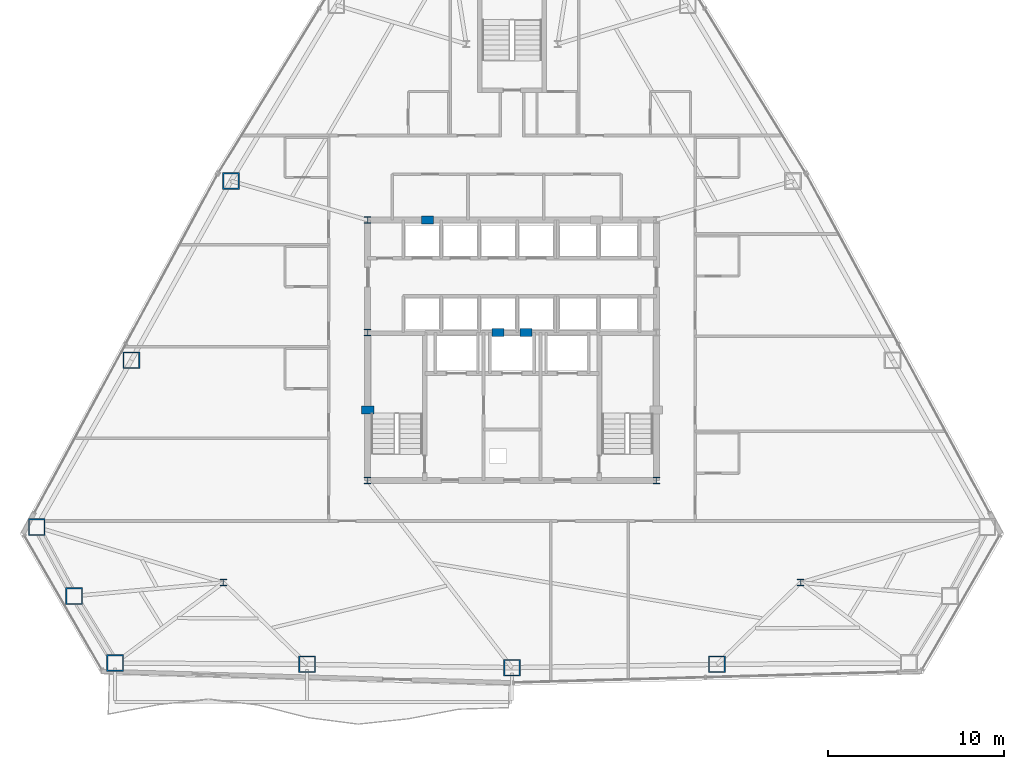
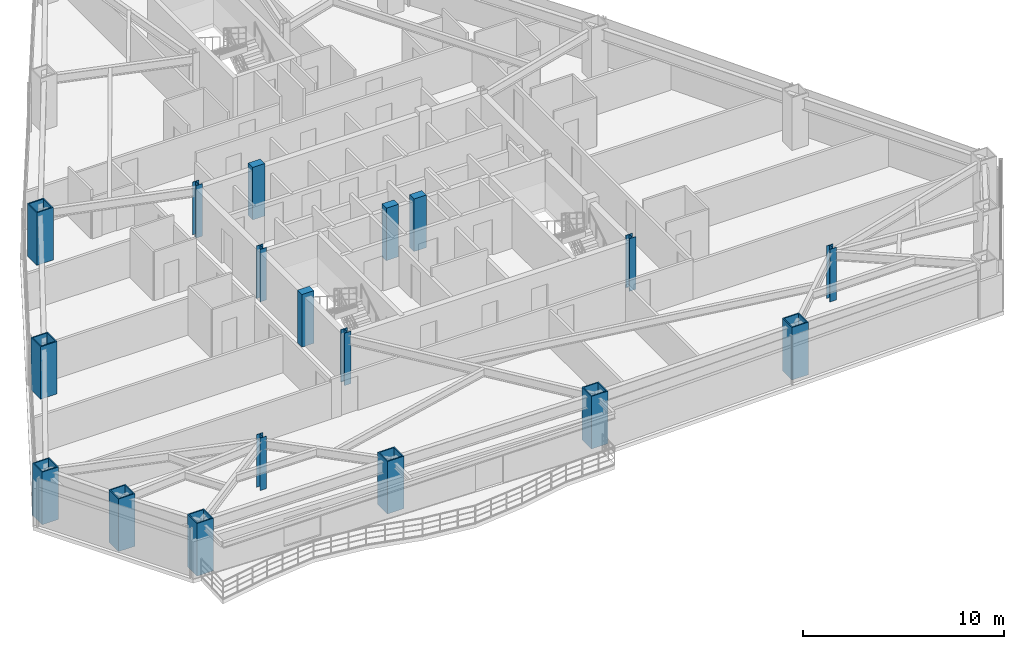
# One storey, part 1 of 13: 18 columns.
"""IFC4 building model written with IfcOpenShell, lengths in metres."""

from ifc_helpers import new_model, si_unit, direction, frame, origin, origin_2d, place, context, subcontext, project, spatial, rectangle, hollow_rectangle, i_section, extrude, material, material_profile, profile_set, type_object, element, save


model = new_model("IFC4")

# Units and contexts
model_context = context("Model", 3, precision=1e-05, world=origin(), true_north=direction((0.0, 1.0)))
body_context = subcontext(model_context, "Body", "Model", "MODEL_VIEW")
ifc_project = project(units=[si_unit("LENGTHUNIT", "METRE"), si_unit("AREAUNIT", "SQUARE_METRE"), si_unit("VOLUMEUNIT", "CUBIC_METRE"), si_unit("PLANEANGLEUNIT", "RADIAN"), si_unit("MASSUNIT", "GRAM", prefix="KILO")], contexts=[model_context])

# Site, building, storey
site_placement = place(None, origin())
site = spatial("IfcSite", under=ifc_project, at=site_placement, CompositionType="ELEMENT")
building_placement = place(site_placement, origin())
building = spatial("IfcBuilding", under=site, at=building_placement, Name="Varakhsha Concourse Tower", CompositionType="ELEMENT")
storey_placement = place(building_placement, frame((0.0, 0.0, 102.199951171875)))
storey = spatial("IfcBuildingStorey", under=building, at=storey_placement, Name="L29", CompositionType="ELEMENT", Elevation=102.199951171875)

# Columns
ifc_material_1 = material(Name="Structural Steel ASTM A992 Grade 50", Category="steel")
ifc_material_profile_1 = material_profile(ifc_material_1, i_section(OverallWidth=0.3740234375, OverallDepth=0.3720703125, WebThickness=0.01611328125, FlangeThickness=0.02587890625, at=origin_2d()), Name="W14X132")
ifc_profile_set_1 = profile_set([ifc_material_profile_1], Name="Structural Steel ASTM A992 Grade 50")
column_type_1 = type_object("IfcColumnType", Name="CL-CORE-W14X132", PredefinedType="COLUMN", material=ifc_profile_set_1)
for number, where, z_axis, x_axis, name in (
    (1, (31.800048828125, 16.39990234375, 0.0), (0.0, 0.0, 1.0), (1.0, 0.0, 0.0), "L29 Core Column CC-SW"),
    (2, (48.199951171875, 16.39990234375, 0.0), (0.0, 0.0, 1.0), (1.0, 0.0, 0.0), "L29 Core Column CC-SE"),
    (3, (31.800048828125, 24.800048828125, 0.0), (0.0, 0.0, 1.0), (1.0, 0.0, 0.0), "L29 Core Column CC-MW"),
    (4, (31.800048828125, 31.199951171875, 0.0), (0.0, 0.0, 1.0), (1.0, 0.0, 0.0), "L29 Core Column CC-NW"),
    (5, (23.60009765625, 10.60009765625, 0.0), (0.0, 0.0, 1.0), (1.0, 0.0, 0.0), "L29 Core Column SS-W"),
    (6, (56.39990234375, 10.60009765625, 0.0), (0.0, 0.0, 1.0), (1.0, 0.0, 0.0), "L29 Core Column SS-E"),
):
    element("IfcColumn", number, at=place(storey_placement, frame(where, z_axis=z_axis, x_axis=x_axis)), inside=storey, type_object=column_type_1, Name=name, PredefinedType="COLUMN", context=body_context, shape_type="SweptSolid", body=[
        extrude(i_section(OverallWidth=0.3740234375, OverallDepth=0.3720703125, WebThickness=0.01611328125, FlangeThickness=0.02587890625, at=origin_2d()), origin(), (0.0, 0.0, 1.0), 3.199951171875),
    ])
ifc_material_2 = material(Name="Concrete fc 65 MPa", Category="concrete")
ifc_material_profile_2 = material_profile(ifc_material_2, rectangle(XDim=0.699951171875, YDim=0.449951171875, at=origin_2d()), Name="RC 700x450")
ifc_profile_set_2 = profile_set([ifc_material_profile_2], Name="Concrete fc 65 MPa")
column_type_2 = type_object("IfcColumnType", Name="CL-PIL-700X450", PredefinedType="PILASTER", material=ifc_profile_set_2)
for number, where, z_axis, x_axis, name in (
    (7, (31.800048828125, 20.39990234375, 0.0), (0.0, 0.0, 1.0), (1.0, 0.0, 0.0), "L29 Core Boundary Pilaster PIL-W1"),
    (8, (35.199951171875, 31.199951171875, 0.0), (0.0, 0.0, 1.0), (1.0, 0.0, 0.0), "L29 Core Boundary Pilaster PIL-N1"),
    (9, (39.199951171875, 24.800048828125, 0.0), (0.0, 0.0, 1.0), (1.0, 0.0, 0.0), "L29 Core Boundary Pilaster PIL-M1"),
    (10, (40.800048828125, 24.800048828125, 0.0), (0.0, 0.0, 1.0), (1.0, 0.0, 0.0), "L29 Core Boundary Pilaster PIL-M2"),
):
    element("IfcColumn", number, at=place(storey_placement, frame(where, z_axis=z_axis, x_axis=x_axis)), inside=storey, type_object=column_type_2, Name=name, PredefinedType="PILASTER", context=body_context, shape_type="SweptSolid", body=[
        extrude(rectangle(XDim=0.699951171875, YDim=0.449951171875, at=origin_2d()), origin(), (0.0, 0.0, 1.0), 3.199951171875),
    ])
ifc_material_3 = material(Name="Structural Steel ASTM A572 Grade 50", Category="steel")
ifc_material_profile_3 = material_profile(ifc_material_3, hollow_rectangle(XDim=0.949951171875, YDim=0.949951171875, WallThickness=0.06494140625, at=origin_2d()), Name="BOX 950x950x65")
ifc_profile_set_3 = profile_set([ifc_material_profile_3], Name="Structural Steel ASTM A572 Grade 50")
column_type_3 = type_object("IfcColumnType", Name="CL-TUBE-950", PredefinedType="COLUMN", material=ifc_profile_set_3)
for number, where, z_axis, x_axis, name in (
    (11, (24.038330078125, 33.41552734375, 0.0), (0.0, 0.0, 1.0), (1.0, 0.0, 0.0), "L29 Framed-Tube Column TC05"),
    (12, (18.380615234375, 23.238037109375, 0.0), (0.0, 0.0, 1.0), (1.0, 0.0, 0.0), "L29 Framed-Tube Column TC06"),
    (13, (12.99560546875, 13.757080078125, 0.0), (0.0, 0.0, 1.0), (1.0, 0.0, 0.0), "L29 Framed-Tube Column TC07"),
    (14, (15.12109375, 9.836181640625, 0.0), (0.0, 0.0, 1.0), (1.0, 0.0, 0.0), "L29 Framed-Tube Column TC08"),
    (15, (17.4541015625, 6.034912109375, 0.0), (0.0, 0.0, 1.0), (1.0, 0.0, 0.0), "L29 Framed-Tube Column TC09"),
    (16, (28.357177734375, 5.958251953125, 0.0), (0.0, 0.0, 1.0), (1.0, 0.0, 0.0), "L29 Framed-Tube Column TC10"),
    (17, (40.0, 5.76904296875, 0.0), (0.0, 0.0, 1.0), (1.0, 0.0, 0.0), "L29 Framed-Tube Column TC11"),
    (18, (51.642822265625, 5.958251953125, 0.0), (0.0, 0.0, 1.0), (1.0, 0.0, 0.0), "L29 Framed-Tube Column TC12"),
):
    element("IfcColumn", number, at=place(storey_placement, frame(where, z_axis=z_axis, x_axis=x_axis)), inside=storey, type_object=column_type_3, Name=name, PredefinedType="COLUMN", context=body_context, shape_type="SweptSolid", body=[
        extrude(hollow_rectangle(XDim=0.949951171875, YDim=0.949951171875, WallThickness=0.06494140625, at=origin_2d()), origin(), (0.0, 0.0, 1.0), 3.199951171875),
    ])

save(model, "model.ifc")
